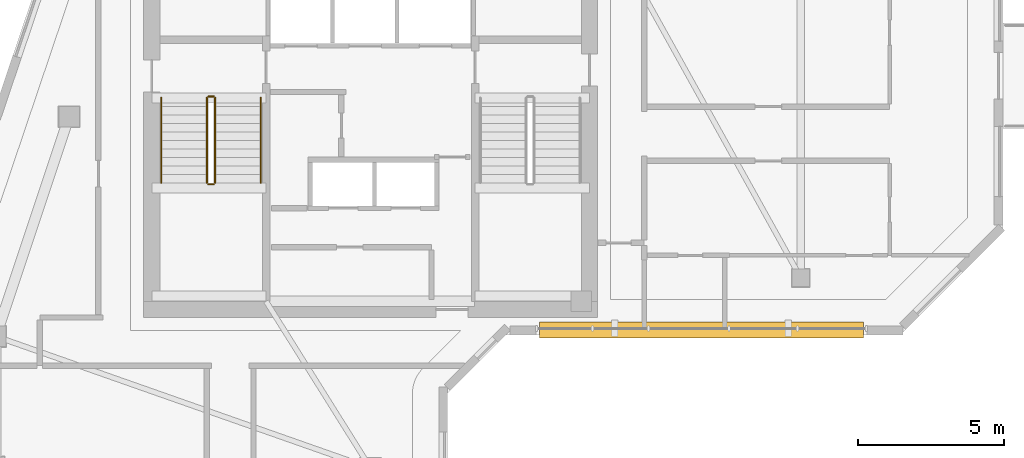
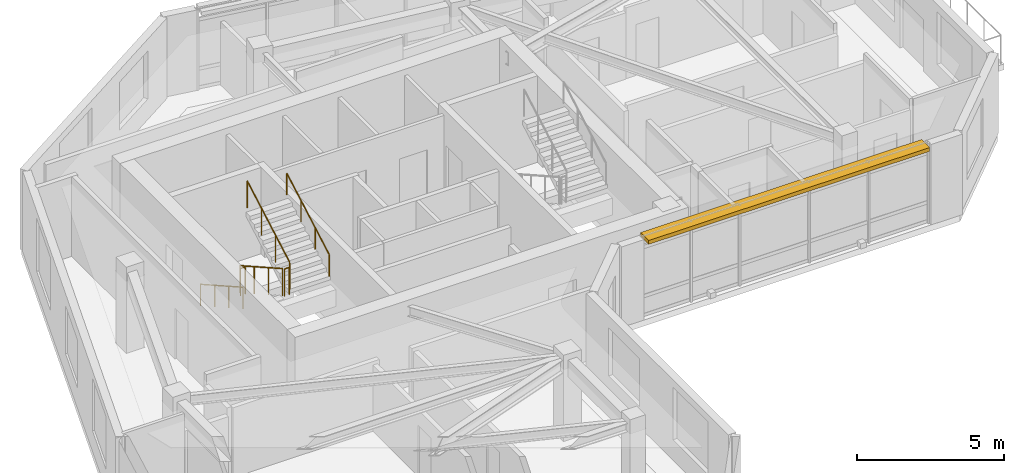
# One storey, part 7 of 9: 6 railings, 1 shading device.
"""IFC4 building model written with IfcOpenShell, lengths in metres."""

from ifc_helpers import new_model, si_unit, direction, frame, frame_2d, origin, origin_2d, place, context, subcontext, project, spatial, rectangle, circle, extrude, material, type_object, element, save


model = new_model("IFC4")

# Units and contexts
model_context = context("Model", 3, precision=1e-05, world=origin(), true_north=direction((0.0, 1.0)))
body_context = subcontext(model_context, "Body", "Model", "MODEL_VIEW")
ifc_project = project(units=[si_unit("LENGTHUNIT", "METRE"), si_unit("AREAUNIT", "SQUARE_METRE"), si_unit("VOLUMEUNIT", "CUBIC_METRE"), si_unit("PLANEANGLEUNIT", "RADIAN"), si_unit("MASSUNIT", "GRAM", prefix="KILO")], contexts=[model_context])

# Site, building, storey
site_placement = place(None, origin())
site = spatial("IfcSite", under=ifc_project, at=site_placement, CompositionType="ELEMENT")
building_placement = place(site_placement, origin())
building = spatial("IfcBuilding", under=site, at=building_placement, Name="Calvemar Wedge Station Tower", CompositionType="ELEMENT")
storey_placement = place(building_placement, frame((0.0, 0.0, 260.10009765625)))
storey = spatial("IfcBuildingStorey", under=building, at=storey_placement, Name="L66", CompositionType="ELEMENT", Elevation=260.10009765625)

# Railings
ifc_material_1 = material(Name="Stainless steel AISI 316L", Category="steel")
railing_type_1 = type_object("IfcRailingType", Name="RL-HANDRAIL-920", PredefinedType="HANDRAIL", material=ifc_material_1)
railing_1_placement = place(storey_placement, frame((16.64990234375, 41.14990234375, 0.16357421875)))
element("IfcRailing", 1, at=railing_1_placement, inside=storey, type_object=railing_type_1, Name="L66 ST-C1 stair handrail 1", PredefinedType="HANDRAIL", context=body_context, shape_type="SweptSolid", body=[
    extrude(circle(Radius=0.02392578125, at=origin_2d()), frame((0.0, 0.0, 0.89599609375), z_axis=(0.0, -0.870928581787, 0.491409610636), x_axis=(1.0, 0.0, 0.0)), (0.0, 0.0, 1.0), 3.32958984375),
    extrude(circle(Radius=0.02099609375, at=origin_2d()), origin(), (0.0, 0.0, 1.0), 0.871826171875),
    extrude(circle(Radius=0.02099609375, at=origin_2d()), frame((0.0, -0.966552734375, 0.54541015625)), (0.0, 0.0, 1.0), 0.871826171875),
    extrude(circle(Radius=0.02099609375, at=origin_2d()), frame((0.0, -1.933349609375, 1.0908203125)), (0.0, 0.0, 1.0), 0.871826171875),
    extrude(circle(Radius=0.02099609375, at=origin_2d()), frame((0.0, -2.89990234375, 1.63623046875)), (0.0, 0.0, 1.0), 0.871826171875),
])
railing_2_placement = place(storey_placement, frame((20.050048828125, 38.25, 1.963623046875)))
element("IfcRailing", 2, at=railing_2_placement, inside=storey, type_object=railing_type_1, Name="L66 ST-C1 stair handrail 2", PredefinedType="HANDRAIL", context=body_context, shape_type="SweptSolid", body=[
    extrude(circle(Radius=0.02392578125, at=origin_2d()), frame((0.0, 0.0, 0.89599609375), z_axis=(0.0, 0.870928581787, 0.491409610636), x_axis=(-1.0, 0.0, 0.0)), (0.0, 0.0, 1.0), 3.32958984375),
    extrude(circle(Radius=0.02099609375, at=origin_2d()), origin(), (0.0, 0.0, 1.0), 0.871826171875),
    extrude(circle(Radius=0.02099609375, at=origin_2d()), frame((0.0, 0.966552734375, 0.54541015625)), (0.0, 0.0, 1.0), 0.871826171875),
    extrude(circle(Radius=0.02099609375, at=origin_2d()), frame((0.0, 1.933349609375, 1.0908203125)), (0.0, 0.0, 1.0), 0.871826171875),
    extrude(circle(Radius=0.02099609375, at=origin_2d()), frame((0.0, 2.89990234375, 1.63623046875)), (0.0, 0.0, 1.0), 0.871826171875),
])
ifc_material_2 = material(Name="Painted steel guardrail ASTM A500 Grade C", Category="steel")
railing_type_2 = type_object("IfcRailingType", Name="RL-STAIR-GUARD-1150", PredefinedType="GUARDRAIL", material=ifc_material_2)
railing_3_placement = place(storey_placement, frame((18.2099609375, 41.14990234375, 0.16357421875)))
element("IfcRailing", 3, at=railing_3_placement, inside=storey, type_object=railing_type_2, Name="L66 ST-C1 stair guard 1", PredefinedType="GUARDRAIL", context=body_context, shape_type="SweptSolid", body=[
    extrude(circle(Radius=0.02392578125, at=origin_2d()), frame((0.0, 0.0, 1.1259765625), z_axis=(0.0, -0.870928581787, 0.491409610636), x_axis=(1.0, 0.0, 0.0)), (0.0, 0.0, 1.0), 3.32958984375),
    extrude(circle(Radius=0.02099609375, at=origin_2d()), origin(), (0.0, 0.0, 1.0), 1.101806640625),
    extrude(circle(Radius=0.02099609375, at=origin_2d()), frame((0.0, -0.966552734375, 0.54541015625)), (0.0, 0.0, 1.0), 1.101806640625),
    extrude(circle(Radius=0.02099609375, at=origin_2d()), frame((0.0, -1.933349609375, 1.0908203125)), (0.0, 0.0, 1.0), 1.101806640625),
    extrude(circle(Radius=0.02099609375, at=origin_2d()), frame((0.0, -2.89990234375, 1.63623046875)), (0.0, 0.0, 1.0), 1.101806640625),
])
railing_4_placement = place(storey_placement, frame((18.260009765625, 38.199951171875, 1.7998046875)))
element("IfcRailing", 4, at=railing_4_placement, inside=storey, type_object=railing_type_2, Name="L66 ST-C1 stair guard 2", PredefinedType="GUARDRAIL", context=body_context, shape_type="SweptSolid", body=[
    extrude(circle(Radius=0.02392578125, at=origin_2d()), frame((0.0, 0.0, 1.1259765625), z_axis=(1.0, 0.0, 0.0), x_axis=(0.0, 1.0, 0.0)), (0.0, 0.0, 1.0), 0.179931640625),
    extrude(circle(Radius=0.02099609375, at=origin_2d()), origin(), (0.0, 0.0, 1.0), 1.101806640625),
    extrude(circle(Radius=0.02099609375, at=origin_2d()), frame((0.179931640625, 0.0, 0.0)), (0.0, 0.0, 1.0), 1.101806640625),
])
railing_5_placement = place(storey_placement, frame((18.489990234375, 38.25, 1.963623046875)))
element("IfcRailing", 5, at=railing_5_placement, inside=storey, type_object=railing_type_2, Name="L66 ST-C1 stair guard 3", PredefinedType="GUARDRAIL", context=body_context, shape_type="SweptSolid", body=[
    extrude(circle(Radius=0.02392578125, at=origin_2d()), frame((0.0, 0.0, 1.1259765625), z_axis=(0.0, 0.870928581787, 0.491409610636), x_axis=(-1.0, 0.0, 0.0)), (0.0, 0.0, 1.0), 3.32958984375),
    extrude(circle(Radius=0.02099609375, at=origin_2d()), origin(), (0.0, 0.0, 1.0), 1.101806640625),
    extrude(circle(Radius=0.02099609375, at=origin_2d()), frame((0.0, 0.966552734375, 0.54541015625)), (0.0, 0.0, 1.0), 1.101806640625),
    extrude(circle(Radius=0.02099609375, at=origin_2d()), frame((0.0, 1.933349609375, 1.0908203125)), (0.0, 0.0, 1.0), 1.101806640625),
    extrude(circle(Radius=0.02099609375, at=origin_2d()), frame((0.0, 2.89990234375, 1.63623046875)), (0.0, 0.0, 1.0), 1.101806640625),
])
railing_6_placement = place(storey_placement, frame((18.260009765625, 41.199951171875, 0.0)))
element("IfcRailing", 6, at=railing_6_placement, inside=storey, type_object=railing_type_2, Name="L66 ST-C1 stair guard 4", PredefinedType="GUARDRAIL", context=body_context, shape_type="SweptSolid", body=[
    extrude(circle(Radius=0.02392578125, at=origin_2d()), frame((0.0, 0.0, 1.1259765625), z_axis=(1.0, 0.0, 0.0), x_axis=(0.0, 1.0, 0.0)), (0.0, 0.0, 1.0), 0.179931640625),
    extrude(circle(Radius=0.02099609375, at=origin_2d()), origin(), (0.0, 0.0, 1.0), 1.101806640625),
    extrude(circle(Radius=0.02099609375, at=origin_2d()), frame((0.179931640625, 0.0, 0.0)), (0.0, 0.0, 1.0), 1.101806640625),
])

# Shading device
ifc_material_3 = material(Name="Precast concrete C45", Category="concrete")
shading_device_type = type_object("IfcShadingDeviceType", Name="SHD-EYEBROW-1", PredefinedType="SHUTTER", material=ifc_material_3)
shading_device_placement = place(storey_placement, frame((29.56982421875, 33.22607421875, 3.169921875), z_axis=(0.0, 0.0, 1.0), x_axis=(1.0, 0.0, 0.0)))
element("IfcShadingDevice", 7, at=shading_device_placement, inside=storey, type_object=shading_device_type, Name="Storey L66 Bronze GFRC Solar Eyebrow 6", PredefinedType="SHUTTER", context=body_context, shape_type="SweptSolid", body=[
    extrude(rectangle(XDim=11.068115234375, YDim=0.550048828125, at=frame_2d((5.5341796875, 0.0))), origin(), (0.0, 0.0, 1.0), 0.159912109375),
])

save(model, "model.ifc")
